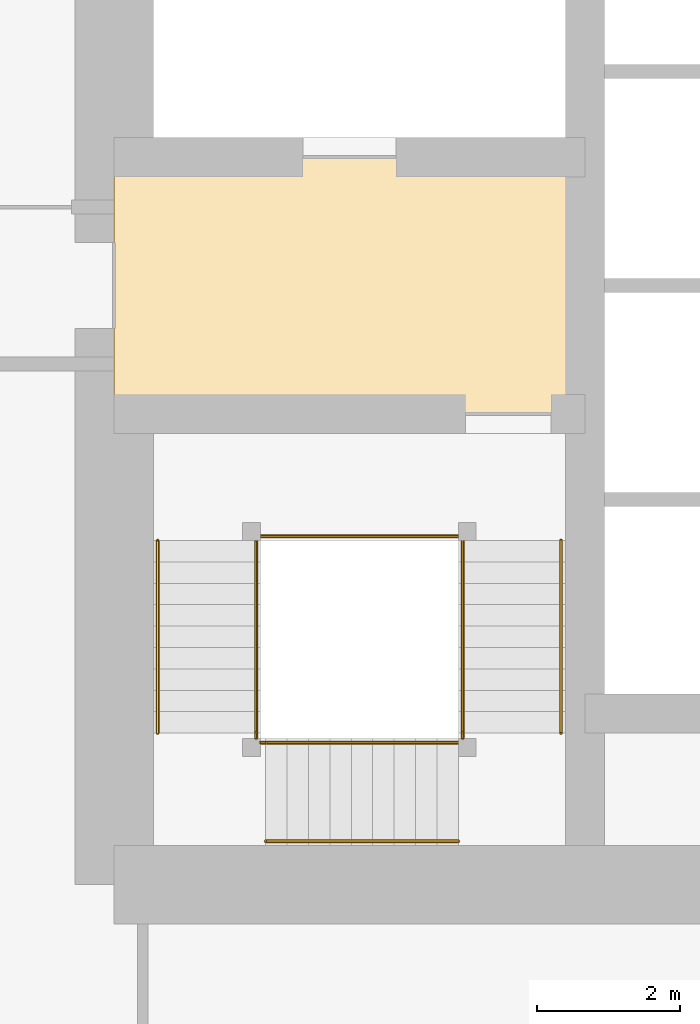
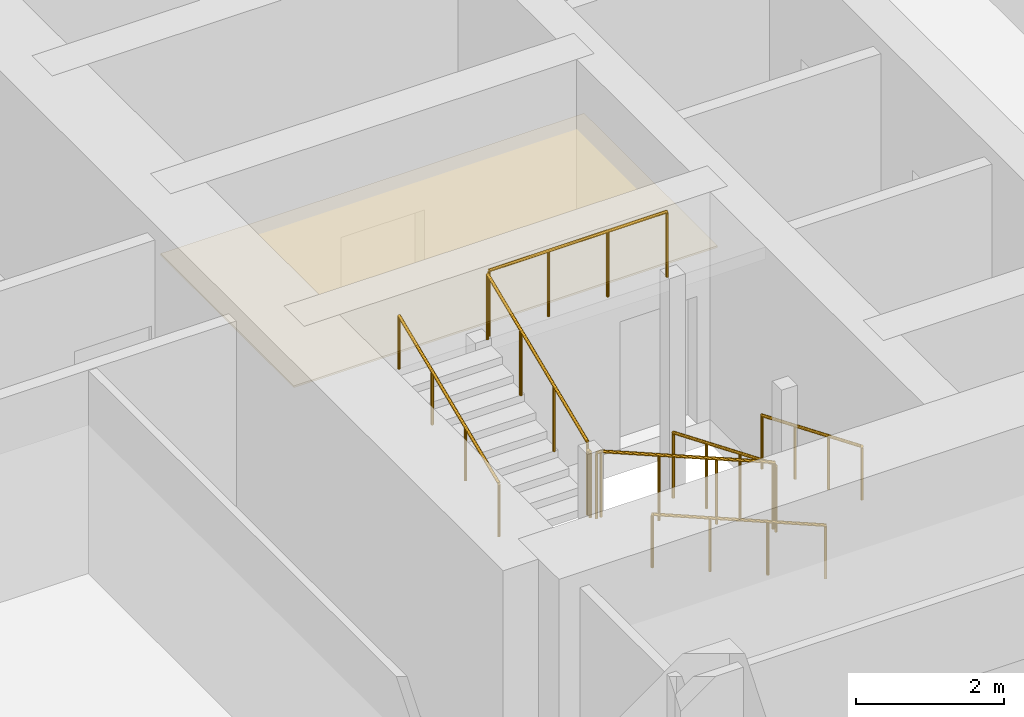
# One storey, part 28 of 35: 10 railings, 1 covering.
"""IFC4 building model written with IfcOpenShell, lengths in metres."""

from ifc_helpers import new_model, si_unit, direction, frame, origin, origin_2d, place, context, subcontext, project, spatial, polyline, circle, outline, extrude, material, layer, layer_set, type_object, element, save


model = new_model("IFC4")

# Units and contexts
model_context = context("Model", 3, precision=1e-05, world=origin(), true_north=direction((0.0, 1.0)))
body_context = subcontext(model_context, "Body", "Model", "MODEL_VIEW")
ifc_project = project(units=[si_unit("LENGTHUNIT", "METRE"), si_unit("AREAUNIT", "SQUARE_METRE"), si_unit("VOLUMEUNIT", "CUBIC_METRE"), si_unit("PLANEANGLEUNIT", "RADIAN"), si_unit("MASSUNIT", "GRAM", prefix="KILO")], contexts=[model_context])

# Site, building, storey
site_placement = place(None, origin())
site = spatial("IfcSite", under=ifc_project, at=site_placement, CompositionType="ELEMENT")
building_placement = place(site_placement, origin())
building = spatial("IfcBuilding", under=site, at=building_placement, Name="Rekha Terrace Tower", CompositionType="ELEMENT")
storey_placement = place(building_placement, frame((0.0, 0.0, 25.39990234375)))
storey = spatial("IfcBuildingStorey", under=building, at=storey_placement, Name="L05", CompositionType="ELEMENT", Elevation=25.39990234375)

# Covering
ifc_material_1 = material(Name="Powder-coated aluminium pan", Category="aluminium")
ifc_layer = layer(ifc_material_1, 0.030029296875)
ifc_layer_set = layer_set([ifc_layer], Name="Powder-coated aluminium pan")
covering_type = type_object("IfcCoveringType", Name="CL3 300x1200 metal pan ceiling", PredefinedType="CEILING", material=ifc_layer_set)
covering_placement = place(storey_placement, frame((0.0, 0.0, 2.570068359375)))
element("IfcCovering", 1, at=covering_placement, inside=storey, type_object=covering_type, Name="Ceiling L05-FLB1", PredefinedType="CEILING", context=body_context, shape_type="SweptSolid", body=[
    extrude(outline(polyline([(31.800048828125, 31.199951171875), (25.199951171875, 31.199951171875), (25.199951171875, 27.60009765625), (31.800048828125, 27.60009765625), (31.800048828125, 31.199951171875)])), origin(), (0.0, 0.0, 1.0), 0.030029296875),
])

# Railings
ifc_material_2 = material(Name="Stainless steel balustrade", Category="steel")
railing_type_1 = type_object("IfcRailingType", Name="GR1 1100 stair guard", PredefinedType="GUARDRAIL", material=ifc_material_2)
railing_1_placement = place(storey_placement, frame((30.0849609375, 25.824951171875, 0.125)))
element("IfcRailing", 2, at=railing_1_placement, inside=storey, type_object=railing_type_1, Name="Guard ST1 L05 flight 1", PredefinedType="GUARDRAIL", context=body_context, shape_type="SweptSolid", body=[
    extrude(circle(Radius=0.02392578125, at=origin_2d()), frame((0.0, 0.0, 1.076171875), z_axis=(0.0, -0.923074453586, 0.384621311341), x_axis=(1.0, 0.0, 0.0)), (0.0, 0.0, 1.0), 2.925048828125),
    extrude(circle(Radius=0.02099609375, at=origin_2d()), origin(), (0.0, 0.0, 1.0), 1.052001953125),
    extrude(circle(Radius=0.02099609375, at=origin_2d()), frame((0.0, -0.89990234375, 0.375)), (0.0, 0.0, 1.0), 1.052001953125),
    extrude(circle(Radius=0.02099609375, at=origin_2d()), frame((0.0, -1.800048828125, 0.75)), (0.0, 0.0, 1.0), 1.052001953125),
    extrude(circle(Radius=0.02099609375, at=origin_2d()), frame((0.0, -2.699951171875, 1.125)), (0.0, 0.0, 1.0), 1.052001953125),
])
railing_2_placement = place(storey_placement, frame((30.02490234375, 22.989990234375, 1.375)))
element("IfcRailing", 3, at=railing_2_placement, inside=storey, type_object=railing_type_1, Name="Guard ST1 L05 flight 2", PredefinedType="GUARDRAIL", context=body_context, shape_type="SweptSolid", body=[
    extrude(circle(Radius=0.02392578125, at=origin_2d()), frame((0.0, 0.0, 1.076171875), z_axis=(-0.923074453586, 0.0, 0.384621311341), x_axis=(0.0, -1.0, 0.0)), (0.0, 0.0, 1.0), 2.925048828125),
    extrude(circle(Radius=0.02099609375, at=origin_2d()), origin(), (0.0, 0.0, 1.0), 1.052001953125),
    extrude(circle(Radius=0.02099609375, at=origin_2d()), frame((-0.89990234375, 0.0, 0.375)), (0.0, 0.0, 1.0), 1.052001953125),
    extrude(circle(Radius=0.02099609375, at=origin_2d()), frame((-1.800048828125, 0.0, 0.75)), (0.0, 0.0, 1.0), 1.052001953125),
    extrude(circle(Radius=0.02099609375, at=origin_2d()), frame((-2.699951171875, 0.0, 1.125)), (0.0, 0.0, 1.0), 1.052001953125),
])
railing_3_placement = place(storey_placement, frame((27.18994140625, 23.125, 2.625)))
element("IfcRailing", 4, at=railing_3_placement, inside=storey, type_object=railing_type_1, Name="Guard ST1 L05 flight 3", PredefinedType="GUARDRAIL", context=body_context, shape_type="SweptSolid", body=[
    extrude(circle(Radius=0.02392578125, at=origin_2d()), frame((0.0, 0.0, 1.076171875), z_axis=(0.0, 0.923074453586, 0.384621311341), x_axis=(-1.0, 0.0, 0.0)), (0.0, 0.0, 1.0), 2.925048828125),
    extrude(circle(Radius=0.02099609375, at=origin_2d()), origin(), (0.0, 0.0, 1.0), 1.052001953125),
    extrude(circle(Radius=0.02099609375, at=origin_2d()), frame((0.0, 0.89990234375, 0.375)), (0.0, 0.0, 1.0), 1.052001953125),
    extrude(circle(Radius=0.02099609375, at=origin_2d()), frame((0.0, 1.800048828125, 0.75)), (0.0, 0.0, 1.0), 1.052001953125),
    extrude(circle(Radius=0.02099609375, at=origin_2d()), frame((0.0, 2.699951171875, 1.125)), (0.0, 0.0, 1.0), 1.052001953125),
])
railing_4_placement = place(storey_placement, frame((30.0849609375, 23.125, 1.25)))
element("IfcRailing", 5, at=railing_4_placement, inside=storey, type_object=railing_type_1, Name="Guard ST1 L05 landing 1", PredefinedType="GUARDRAIL", context=body_context, shape_type="SweptSolid", body=[
    extrude(circle(Radius=0.02392578125, at=origin_2d()), frame((0.0, 0.0, 1.076171875), z_axis=(0.0, -1.0, 0.0), x_axis=(1.0, 0.0, 0.0)), (0.0, 0.0, 1.0), 0.074951171875),
    extrude(circle(Radius=0.02099609375, at=origin_2d()), origin(), (0.0, 0.0, 1.0), 1.052001953125),
    extrude(circle(Radius=0.02099609375, at=origin_2d()), frame((0.0, -0.074951171875, 0.0)), (0.0, 0.0, 1.0), 1.052001953125),
])
railing_5_placement = place(storey_placement, frame((27.324951171875, 22.989990234375, 2.5)))
element("IfcRailing", 6, at=railing_5_placement, inside=storey, type_object=railing_type_1, Name="Guard ST1 L05 landing 2", PredefinedType="GUARDRAIL", context=body_context, shape_type="SweptSolid", body=[
    extrude(circle(Radius=0.02392578125, at=origin_2d()), frame((0.0, 0.0, 1.076171875), z_axis=(-1.0, 0.0, 0.0), x_axis=(0.0, -1.0, 0.0)), (0.0, 0.0, 1.0), 0.074951171875),
    extrude(circle(Radius=0.02099609375, at=origin_2d()), origin(), (0.0, 0.0, 1.0), 1.052001953125),
    extrude(circle(Radius=0.02099609375, at=origin_2d()), frame((-0.074951171875, 0.0, 0.0)), (0.0, 0.0, 1.0), 1.052001953125),
])
railing_6_placement = place(storey_placement, frame((27.18994140625, 23.125, 2.5)))
element("IfcRailing", 7, at=railing_6_placement, inside=storey, type_object=railing_type_1, Name="Guard ST1 L05 landing 3", PredefinedType="GUARDRAIL", context=body_context, shape_type="SweptSolid", body=[
    extrude(circle(Radius=0.02392578125, at=origin_2d()), frame((0.0, 0.0, 1.076171875), z_axis=(0.0, -1.0, 0.0), x_axis=(1.0, 0.0, 0.0)), (0.0, 0.0, 1.0), 0.074951171875),
    extrude(circle(Radius=0.02099609375, at=origin_2d()), origin(), (0.0, 0.0, 1.0), 1.052001953125),
    extrude(circle(Radius=0.02099609375, at=origin_2d()), frame((0.0, -0.074951171875, 0.0)), (0.0, 0.0, 1.0), 1.052001953125),
])
railing_7_placement = place(storey_placement, frame((30.02490234375, 25.885009765625, 3.75)))
element("IfcRailing", 8, at=railing_7_placement, inside=storey, type_object=railing_type_1, Name="Guard ST1 L05 landing 4", PredefinedType="GUARDRAIL", context=body_context, shape_type="SweptSolid", body=[
    extrude(circle(Radius=0.02392578125, at=origin_2d()), frame((0.0, 0.0, 1.076171875), z_axis=(-1.0, 0.0, 0.0), x_axis=(0.0, -1.0, 0.0)), (0.0, 0.0, 1.0), 2.77490234375),
    extrude(circle(Radius=0.02099609375, at=origin_2d()), origin(), (0.0, 0.0, 1.0), 1.052001953125),
    extrude(circle(Radius=0.02099609375, at=origin_2d()), frame((-0.925048828125, 0.0, 0.0)), (0.0, 0.0, 1.0), 1.052001953125),
    extrude(circle(Radius=0.02099609375, at=origin_2d()), frame((-1.849853515625, 0.0, 0.0)), (0.0, 0.0, 1.0), 1.052001953125),
    extrude(circle(Radius=0.02099609375, at=origin_2d()), frame((-2.77490234375, 0.0, 0.0)), (0.0, 0.0, 1.0), 1.052001953125),
])
ifc_material_3 = material(Name="Stainless steel tube", Category="steel")
railing_type_2 = type_object("IfcRailingType", Name="HR1 900 stair handrail", PredefinedType="HANDRAIL", material=ifc_material_3)
railing_8_placement = place(storey_placement, frame((31.465087890625, 25.824951171875, 0.125)))
element("IfcRailing", 9, at=railing_8_placement, inside=storey, type_object=railing_type_2, Name="Handrail ST1 L05 flight 1", PredefinedType="HANDRAIL", context=body_context, shape_type="SweptSolid", body=[
    extrude(circle(Radius=0.02392578125, at=origin_2d()), frame((0.0, 0.0, 0.8759765625), z_axis=(0.0, -0.923074453586, 0.384621311341), x_axis=(1.0, 0.0, 0.0)), (0.0, 0.0, 1.0), 2.925048828125),
    extrude(circle(Radius=0.02099609375, at=origin_2d()), origin(), (0.0, 0.0, 1.0), 0.851806640625),
    extrude(circle(Radius=0.02099609375, at=origin_2d()), frame((0.0, -0.89990234375, 0.375)), (0.0, 0.0, 1.0), 0.851806640625),
    extrude(circle(Radius=0.02099609375, at=origin_2d()), frame((0.0, -1.800048828125, 0.75)), (0.0, 0.0, 1.0), 0.851806640625),
    extrude(circle(Radius=0.02099609375, at=origin_2d()), frame((0.0, -2.699951171875, 1.125)), (0.0, 0.0, 1.0), 0.851806640625),
])
railing_9_placement = place(storey_placement, frame((30.02490234375, 21.610107421875, 1.375)))
element("IfcRailing", 10, at=railing_9_placement, inside=storey, type_object=railing_type_2, Name="Handrail ST1 L05 flight 2", PredefinedType="HANDRAIL", context=body_context, shape_type="SweptSolid", body=[
    extrude(circle(Radius=0.02392578125, at=origin_2d()), frame((0.0, 0.0, 0.8759765625), z_axis=(-0.923074453586, 0.0, 0.384621311341), x_axis=(0.0, -1.0, 0.0)), (0.0, 0.0, 1.0), 2.925048828125),
    extrude(circle(Radius=0.02099609375, at=origin_2d()), origin(), (0.0, 0.0, 1.0), 0.851806640625),
    extrude(circle(Radius=0.02099609375, at=origin_2d()), frame((-0.89990234375, 0.0, 0.375)), (0.0, 0.0, 1.0), 0.851806640625),
    extrude(circle(Radius=0.02099609375, at=origin_2d()), frame((-1.800048828125, 0.0, 0.75)), (0.0, 0.0, 1.0), 0.851806640625),
    extrude(circle(Radius=0.02099609375, at=origin_2d()), frame((-2.699951171875, 0.0, 1.125)), (0.0, 0.0, 1.0), 0.851806640625),
])
railing_10_placement = place(storey_placement, frame((25.81005859375, 23.125, 2.625)))
element("IfcRailing", 11, at=railing_10_placement, inside=storey, type_object=railing_type_2, Name="Handrail ST1 L05 flight 3", PredefinedType="HANDRAIL", context=body_context, shape_type="SweptSolid", body=[
    extrude(circle(Radius=0.02392578125, at=origin_2d()), frame((0.0, 0.0, 0.8759765625), z_axis=(0.0, 0.923074453586, 0.384621311341), x_axis=(-1.0, 0.0, 0.0)), (0.0, 0.0, 1.0), 2.925048828125),
    extrude(circle(Radius=0.02099609375, at=origin_2d()), origin(), (0.0, 0.0, 1.0), 0.851806640625),
    extrude(circle(Radius=0.02099609375, at=origin_2d()), frame((0.0, 0.89990234375, 0.375)), (0.0, 0.0, 1.0), 0.851806640625),
    extrude(circle(Radius=0.02099609375, at=origin_2d()), frame((0.0, 1.800048828125, 0.75)), (0.0, 0.0, 1.0), 0.851806640625),
    extrude(circle(Radius=0.02099609375, at=origin_2d()), frame((0.0, 2.699951171875, 1.125)), (0.0, 0.0, 1.0), 0.851806640625),
])

save(model, "model.ifc")
